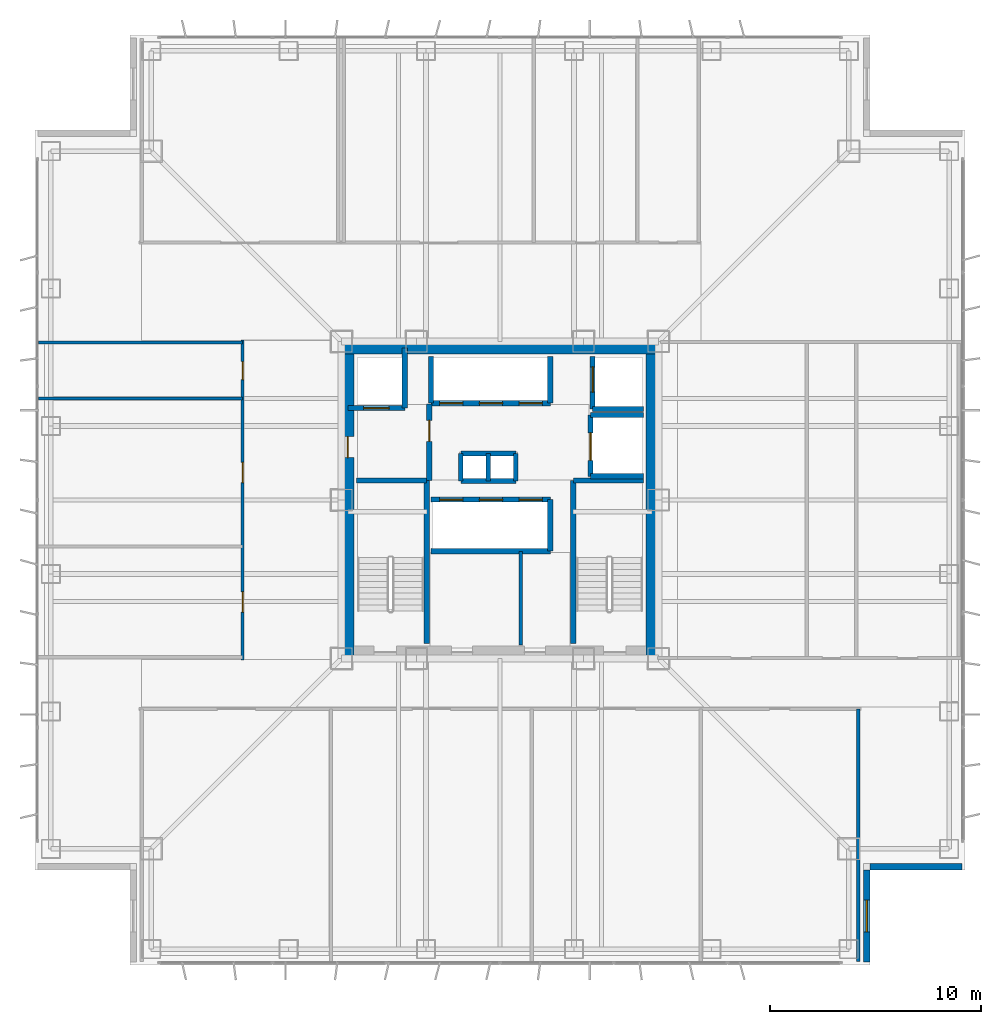
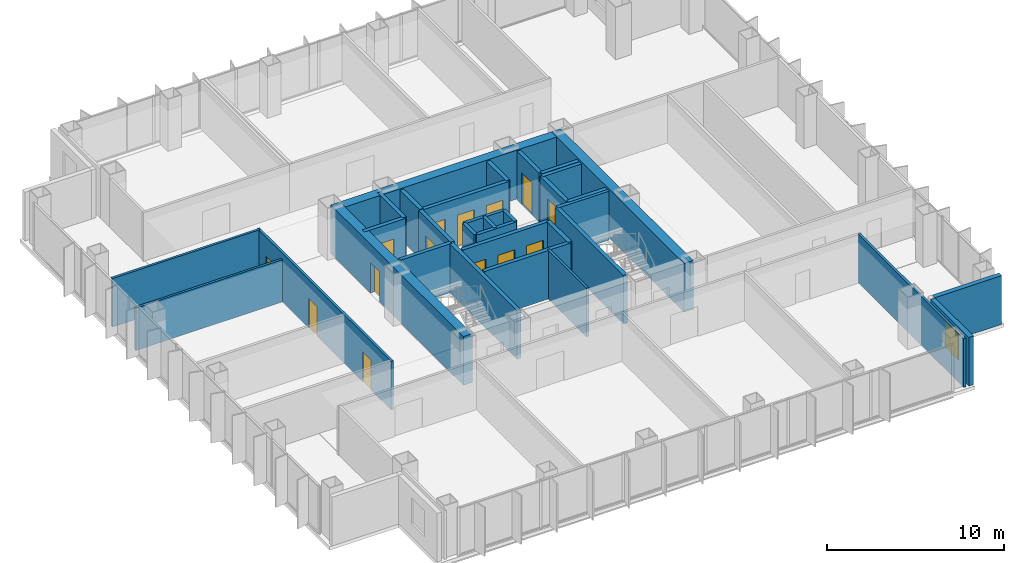
# One storey, part 10 of 14: 33 walls, 14 doors, 1 window, 15 openings.
"""IFC4 building model written with IfcOpenShell, lengths in metres."""

from ifc_helpers import new_model, si_unit, direction, frame, frame_2d, origin, place, context, subcontext, project, spatial, rectangle, extrude, material, layer, layer_set, type_object, element, fill, save


model = new_model("IFC4")

# Units and contexts
model_context = context("Model", 3, precision=1e-05, world=origin(), true_north=direction((0.0, 1.0)))
body_context = subcontext(model_context, "Body", "Model", "MODEL_VIEW")
ifc_project = project(units=[si_unit("LENGTHUNIT", "METRE"), si_unit("AREAUNIT", "SQUARE_METRE"), si_unit("VOLUMEUNIT", "CUBIC_METRE"), si_unit("PLANEANGLEUNIT", "RADIAN"), si_unit("MASSUNIT", "GRAM", prefix="KILO")], contexts=[model_context])

# Site, building, storey
site_placement = place(None, origin())
site = spatial("IfcSite", under=ifc_project, at=site_placement, CompositionType="ELEMENT")
building_placement = place(site_placement, origin())
building = spatial("IfcBuilding", under=site, at=building_placement, Name="Trevonay Congress Spire", CompositionType="ELEMENT")
storey_placement = place(building_placement, frame((0.0, 0.0, 137.199951171875)))
storey = spatial("IfcBuildingStorey", under=building, at=storey_placement, Name="L35", CompositionType="ELEMENT", Elevation=137.199951171875)

# Wall
ifc_material_1 = material(Name="Concrete C60/75", Category="concrete")
ifc_layer_1 = layer(ifc_material_1, 0.60009765625, Name="Concrete C60/75")
ifc_layer_set_1 = layer_set([ifc_layer_1], Name="Concrete C60/75")
wall_type_1 = type_object("IfcWallType", Name="WAL-CORE-600", PredefinedType="SHEAR", material=ifc_layer_set_1)
wall_1_placement = place(storey_placement, frame((-7.5, 7.199951171875, 0.0), z_axis=(0.0, 0.0, 1.0), x_axis=(1.0, 0.0, 0.0)))
element("IfcWall", 1, at=wall_1_placement, inside=storey, type_object=wall_type_1, Name="L35 North structural core shear wall", PredefinedType="SHEAR", context=body_context, shape_type="SweptSolid", body=[
    extrude(rectangle(XDim=15.0, YDim=0.60009765625, at=frame_2d((7.5, 0.0))), origin(), (0.0, 0.0, 1.0), 3.360107421875),
])

# Wall, opening, door
wall_2_placement = place(storey_placement, frame((-7.199951171875, -7.5, 0.0), z_axis=(0.0, 0.0, 1.0), x_axis=(0.0, 1.0, 0.0)))
wall_2 = element("IfcWall", 2, at=wall_2_placement, inside=storey, type_object=wall_type_1, Name="L35 West structural core shear wall", PredefinedType="SHEAR", context=body_context, shape_type="SweptSolid", body=[
    extrude(rectangle(XDim=15.0, YDim=0.60009765625, at=frame_2d((7.5, 0.0))), origin(), (0.0, 0.0, 1.0), 3.360107421875),
])
opening_1_placement = place(wall_2_placement, frame((9.5, 0.0, 0.0)))
opening_1 = element("IfcOpeningElement", 3, at=opening_1_placement, cuts=wall_2, Name="Opening D06", PredefinedType="OPENING", context=body_context, shape_type="SweptSolid", body=[
    extrude(rectangle(XDim=1.0, YDim=2.080078125, at=frame_2d((0.5, 1.0400390625))), frame((0.0, 0.31005859375, 0.0), z_axis=(0.0, -1.0, 0.0), x_axis=(1.0, 0.0, 0.0)), (0.0, 0.0, 1.0), 0.6201171875),
])
ifc_material_2 = material(Name="Steel ASTM A572 Grade 50", Category="steel")
door_type_1 = type_object("IfcDoorType", Name="DOR-FIRE-100", OperationType="NOTDEFINED", PredefinedType="DOOR", material=ifc_material_2)
door_1_placement = place(opening_1_placement, origin())
door_1 = element("IfcDoor", 4, at=door_1_placement, inside=storey, type_object=door_type_1, Name="L35 Firefighting Lift Lobby West Corridor Door", OperationType="SINGLE_SWING_RIGHT", OverallHeight=2.080078125, OverallWidth=1.0, PredefinedType="DOOR", context=body_context, shape_type="SweptSolid", body=[
    extrude(rectangle(XDim=1.0, YDim=2.080078125, at=frame_2d((0.5, 1.0400390625))), frame((0.0, 0.02490234375, 0.0), z_axis=(0.0, -1.0, 0.0), x_axis=(1.0, 0.0, 0.0)), (0.0, 0.0, 1.0), 0.050048828125),
])
fill(opening_1, door_1)

# Wall
wall_3_placement = place(storey_placement, frame((7.199951171875, -7.5, 0.0), z_axis=(0.0, 0.0, 1.0), x_axis=(0.0, 1.0, 0.0)))
element("IfcWall", 5, at=wall_3_placement, inside=storey, type_object=wall_type_1, Name="L35 East structural core shear wall", PredefinedType="SHEAR", context=body_context, shape_type="SweptSolid", body=[
    extrude(rectangle(XDim=15.0, YDim=0.60009765625, at=frame_2d((7.5, 0.0))), origin(), (0.0, 0.0, 1.0), 3.360107421875),
])

# Wall, openings, doors
ifc_material_3 = material(Name="Concrete C40/50", Category="concrete")
ifc_layer_2 = layer(ifc_material_3, 0.14990234375, Name="Concrete C40/50")
ifc_layer_set_2 = layer_set([ifc_layer_2], Name="Concrete C40/50")
wall_type_2 = type_object("IfcWallType", Name="WAL-CORR-150", PredefinedType="PARTITIONING", material=ifc_layer_set_2)
wall_4_placement = place(storey_placement, frame((-12.179931640625, -7.570068359375, 0.0), z_axis=(0.0, 0.0, 1.0), x_axis=(0.0, 1.0, 0.0)))
wall_4 = element("IfcWall", 6, at=wall_4_placement, inside=storey, type_object=wall_type_2, Name="L35 interior wall WP-L35W-COR", PredefinedType="PARTITIONING", context=body_context, shape_type="SweptSolid", body=[
    extrude(rectangle(XDim=15.14013671875, YDim=0.14990234375, at=frame_2d((7.570068359375, 0.0))), origin(), (0.0, 0.0, 1.0), 3.360107421875),
])
opening_2_placement = place(wall_4_placement, frame((2.27001953125, 0.0, 0.0)))
opening_2 = element("IfcOpeningElement", 7, at=opening_2_placement, cuts=wall_4, Name="Opening D07", PredefinedType="OPENING", context=body_context, shape_type="SweptSolid", body=[
    extrude(rectangle(XDim=0.949951171875, YDim=2.06005859375, at=frame_2d((0.47509765625, 1.030029296875))), frame((0.0, 0.0849609375, 0.0), z_axis=(0.0, -1.0, 0.0), x_axis=(1.0, 0.0, 0.0)), (0.0, 0.0, 1.0), 0.169921875),
])
opening_3_placement = place(wall_4_placement, frame((8.39501953125, 0.0, 0.0)))
opening_3 = element("IfcOpeningElement", 8, at=opening_3_placement, cuts=wall_4, Name="Opening D07", PredefinedType="OPENING", context=body_context, shape_type="SweptSolid", body=[
    extrude(rectangle(XDim=0.949951171875, YDim=2.06005859375, at=frame_2d((0.47509765625, 1.030029296875))), frame((0.0, 0.0849609375, 0.0), z_axis=(0.0, -1.0, 0.0), x_axis=(1.0, 0.0, 0.0)), (0.0, 0.0, 1.0), 0.169921875),
])
opening_4_placement = place(wall_4_placement, frame((13.27001953125, 0.0, 0.0)))
opening_4 = element("IfcOpeningElement", 9, at=opening_4_placement, cuts=wall_4, Name="Opening D10", PredefinedType="OPENING", context=body_context, shape_type="SweptSolid", body=[
    extrude(rectangle(XDim=0.85009765625, YDim=2.050048828125, at=frame_2d((0.425048828125, 1.02490234375))), frame((0.0, 0.0849609375, 0.0), z_axis=(0.0, -1.0, 0.0), x_axis=(1.0, 0.0, 0.0)), (0.0, 0.0, 1.0), 0.169921875),
])
ifc_material_4 = material(Name="Pale Anodised Aluminium EN AW-6063-T6", Category="aluminium")
door_type_2 = type_object("IfcDoorType", Name="DOR-OFFICE-95", OperationType="NOTDEFINED", PredefinedType="DOOR", material=ifc_material_4)
door_2_placement = place(opening_2_placement, origin())
door_2 = element("IfcDoor", 10, at=door_2_placement, inside=storey, type_object=door_type_2, Name="L35 Faculty Office West Door", OperationType="SINGLE_SWING_LEFT", OverallHeight=2.06005859375, OverallWidth=0.949951171875, PredefinedType="DOOR", context=body_context, shape_type="SweptSolid", body=[
    extrude(rectangle(XDim=0.949951171875, YDim=2.06005859375, at=frame_2d((0.47509765625, 1.030029296875))), frame((0.0, 0.02490234375, 0.0), z_axis=(0.0, -1.0, 0.0), x_axis=(1.0, 0.0, 0.0)), (0.0, 0.0, 1.0), 0.050048828125),
])
fill(opening_2, door_2)
door_3_placement = place(opening_3_placement, origin())
door_3 = element("IfcDoor", 11, at=door_3_placement, inside=storey, type_object=door_type_2, Name="L35 Tutorial Seminar Room Door", OperationType="SINGLE_SWING_RIGHT", OverallHeight=2.06005859375, OverallWidth=0.949951171875, PredefinedType="DOOR", context=body_context, shape_type="SweptSolid", body=[
    extrude(rectangle(XDim=0.949951171875, YDim=2.06005859375, at=frame_2d((0.47509765625, 1.030029296875))), frame((0.0, 0.02490234375, 0.0), z_axis=(0.0, -1.0, 0.0), x_axis=(1.0, 0.0, 0.0)), (0.0, 0.0, 1.0), 0.050048828125),
])
fill(opening_3, door_3)
door_type_3 = type_object("IfcDoorType", Name="DOR-WC-85", OperationType="NOTDEFINED", PredefinedType="DOOR", material=ifc_material_4)
door_4_placement = place(opening_4_placement, origin())
door_4 = element("IfcDoor", 12, at=door_4_placement, inside=storey, type_object=door_type_3, Name="L35 Accessible WC Door", OperationType="SINGLE_SWING_LEFT", OverallHeight=2.050048828125, OverallWidth=0.85009765625, PredefinedType="DOOR", context=body_context, shape_type="SweptSolid", body=[
    extrude(rectangle(XDim=0.85009765625, YDim=2.050048828125, at=frame_2d((0.425048828125, 1.02490234375))), frame((0.0, 0.02490234375, 0.0), z_axis=(0.0, -1.0, 0.0), x_axis=(1.0, 0.0, 0.0)), (0.0, 0.0, 1.0), 0.050048828125),
])
fill(opening_4, door_4)

# Wall, opening, window
ifc_material_5 = material(Name="Precast concrete C40/50", Category="concrete")
ifc_layer_3 = layer(ifc_material_5, 0.300048828125, Name="Precast concrete C40/50")
ifc_layer_set_3 = layer_set([ifc_layer_3], Name="Precast concrete C40/50")
wall_type_3 = type_object("IfcWallType", Name="WAL-EXT-PRECAST-300", PredefinedType="SOLIDWALL", material=ifc_layer_set_3)
wall_5_placement = place(storey_placement, frame((17.35009765625, -21.85009765625, 0.0), z_axis=(0.0, 0.0, 1.0), x_axis=(0.0, 1.0, 0.0)))
wall_5 = element("IfcWall", 13, at=wall_5_placement, inside=storey, type_object=wall_type_3, Name="L35 SE re-entrant notch exterior wall 1", PredefinedType="SOLIDWALL", context=body_context, shape_type="SweptSolid", body=[
    extrude(rectangle(XDim=4.35009765625, YDim=0.300048828125, at=frame_2d((2.175048828125, 0.0))), origin(), (0.0, 0.0, 1.0), 3.360107421875),
])
opening_5_placement = place(wall_5_placement, frame((1.425048828125, 0.0, 0.89990234375)))
opening_5 = element("IfcOpeningElement", 14, at=opening_5_placement, cuts=wall_5, Name="Opening WN03", PredefinedType="OPENING", context=body_context, shape_type="SweptSolid", body=[
    extrude(rectangle(XDim=1.5, YDim=1.800048828125, at=frame_2d((0.75, 0.89990234375))), frame((0.0, 0.16015625, 0.0), z_axis=(0.0, -1.0, 0.0), x_axis=(1.0, 0.0, 0.0)), (0.0, 0.0, 1.0), 0.320068359375),
])
ifc_material_6 = material(Name="Insulated Low-E Vision Glass IGU", Category="glass")
window_type = type_object("IfcWindowType", Name="WIN-NOTCH-150X180", PartitioningType="SINGLE_PANEL", PredefinedType="WINDOW", material=ifc_material_6)
window_placement = place(opening_5_placement, origin())
window = element("IfcWindow", 15, at=window_placement, inside=storey, type_object=window_type, Name="L35 SE corner notch window", OverallHeight=1.800048828125, OverallWidth=1.5, PartitioningType="SINGLE_PANEL", PredefinedType="WINDOW", context=body_context, shape_type="SweptSolid", body=[
    extrude(rectangle(XDim=1.5, YDim=1.800048828125, at=frame_2d((0.75, 0.89990234375))), frame((0.0, 0.030029296875, 0.0), z_axis=(0.0, -1.0, 0.0), x_axis=(1.0, 0.0, 0.0)), (0.0, 0.0, 1.0), 0.06005859375),
])
fill(opening_5, window)

# Walls
wall_6_placement = place(storey_placement, frame((21.85009765625, -17.35009765625, 0.0), z_axis=(0.0, 0.0, 1.0), x_axis=(-1.0, 0.0, 0.0)))
element("IfcWall", 16, at=wall_6_placement, inside=storey, type_object=wall_type_3, Name="L35 SE re-entrant notch exterior wall 2", PredefinedType="SOLIDWALL", context=body_context, shape_type="SweptSolid", body=[
    extrude(rectangle(XDim=4.35009765625, YDim=0.300048828125, at=frame_2d((2.175048828125, 0.0))), origin(), (0.0, 0.0, 1.0), 3.360107421875),
])
ifc_layer_4 = layer(ifc_material_3, 0.14990234375, Name="Concrete C40/50")
ifc_layer_set_4 = layer_set([ifc_layer_4], Name="Concrete C40/50")
wall_type_4 = type_object("IfcWallType", Name="WAL-PART-150", PredefinedType="PARTITIONING", material=ifc_layer_set_4)
wall_7_placement = place(storey_placement, frame((0.97998046875, -6.85009765625, 0.0), z_axis=(0.0, 0.0, 1.0), x_axis=(0.0, 1.0, 0.0)))
element("IfcWall", 17, at=wall_7_placement, inside=storey, type_object=wall_type_4, Name="L35 interior wall CW-F3-L35", PredefinedType="PARTITIONING", context=body_context, shape_type="SweptSolid", body=[
    extrude(rectangle(XDim=4.420166015625, YDim=0.14990234375, at=frame_2d((2.2099609375, 0.0))), origin(), (0.0, 0.0, 1.0), 3.360107421875),
])
wall_8_placement = place(storey_placement, frame((16.949951171875, -21.820068359375, 0.0), z_axis=(0.0, 0.0, 1.0), x_axis=(0.0, 1.0, 0.0)))
element("IfcWall", 18, at=wall_8_placement, inside=storey, type_object=wall_type_4, Name="L35 interior wall WP-L35S-DIV5", PredefinedType="PARTITIONING", context=body_context, shape_type="SweptSolid", body=[
    extrude(rectangle(XDim=11.940185546875, YDim=0.14990234375, at=frame_2d((5.97021484375, 0.0))), origin(), (0.0, 0.0, 1.0), 3.360107421875),
])
wall_9_placement = place(storey_placement, frame((-21.820068359375, 4.800048828125, 0.0), z_axis=(0.0, 0.0, 1.0), x_axis=(1.0, 0.0, 0.0)))
element("IfcWall", 19, at=wall_9_placement, inside=storey, type_object=wall_type_4, Name="L35 interior wall WP-L35W-DIV3", PredefinedType="PARTITIONING", context=body_context, shape_type="SweptSolid", body=[
    extrude(rectangle(XDim=9.64013671875, YDim=0.14990234375, at=frame_2d((4.820068359375, 0.0))), origin(), (0.0, 0.0, 1.0), 2.927978515625),
])
wall_10_placement = place(storey_placement, frame((-21.820068359375, 7.449951171875, 0.0), z_axis=(0.0, 0.0, 1.0), x_axis=(1.0, 0.0, 0.0)))
element("IfcWall", 20, at=wall_10_placement, inside=storey, type_object=wall_type_4, Name="L35 interior wall WP-L35W-DIV4", PredefinedType="PARTITIONING", context=body_context, shape_type="SweptSolid", body=[
    extrude(rectangle(XDim=9.64013671875, YDim=0.14990234375, at=frame_2d((4.820068359375, 0.0))), origin(), (0.0, 0.0, 1.0), 3.360107421875),
])
ifc_layer_5 = layer(ifc_material_3, 0.219970703125, Name="Concrete C40/50")
ifc_layer_set_5 = layer_set([ifc_layer_5], Name="Concrete C40/50")
wall_type_5 = type_object("IfcWallType", Name="WAL-SHAFT-220", PredefinedType="PARTITIONING", material=ifc_layer_set_5)
for number, where, z_axis, x_axis, name in (
    (21, (-1.85009765625, 2.199951171875, 0.0), (0.0, 0.0, 1.0), (1.0, 0.0, 0.0), "L35 interior shaft wall WSH-L35-RSR-N"),
    (22, (-1.85009765625, 0.89990234375, 0.0), (0.0, 0.0, 1.0), (1.0, 0.0, 0.0), "L35 interior shaft wall WSH-L35-RSR-S"),
):
    element("IfcWall", number, at=place(storey_placement, frame(where, z_axis=z_axis, x_axis=x_axis)), inside=storey, type_object=wall_type_5, Name=name, PredefinedType="PARTITIONING", context=body_context, shape_type="SweptSolid", body=[
        extrude(rectangle(XDim=2.60009765625, YDim=0.219970703125, at=frame_2d((1.300048828125, 0.0))), origin(), (0.0, 0.0, 1.0), 3.360107421875),
    ])
for number, where, z_axis, x_axis, name in (
    (23, (-0.550048828125, 0.89990234375, 0.0), (0.0, 0.0, 1.0), (0.0, 1.0, 0.0), "L35 interior shaft wall WSH-L35-RSR-M"),
    (24, (0.75, 0.89990234375, 0.0), (0.0, 0.0, 1.0), (0.0, 1.0, 0.0), "L35 interior shaft wall WSH-L35-RSR-E"),
    (25, (-1.85009765625, 0.89990234375, 0.0), (0.0, 0.0, 1.0), (0.0, 1.0, 0.0), "L35 interior shaft wall WSH-L35-RSR-W"),
):
    element("IfcWall", number, at=place(storey_placement, frame(where, z_axis=z_axis, x_axis=x_axis)), inside=storey, type_object=wall_type_5, Name=name, PredefinedType="PARTITIONING", context=body_context, shape_type="SweptSolid", body=[
        extrude(rectangle(XDim=1.300048828125, YDim=0.219970703125, at=frame_2d((0.64990234375, 0.0))), origin(), (0.0, 0.0, 1.0), 3.360107421875),
    ])

# Wall, openings, doors
ifc_layer_6 = layer(ifc_material_3, 0.25, Name="Concrete C40/50")
ifc_layer_set_6 = layer_set([ifc_layer_6], Name="Concrete C40/50")
wall_type_6 = type_object("IfcWallType", Name="WAL-SHAFT-250", PredefinedType="SHEAR", material=ifc_layer_set_6)
wall_11_placement = place(storey_placement, frame((-3.260009765625, 0.02001953125, 0.0), z_axis=(0.0, 0.0, 1.0), x_axis=(1.0, 0.0, 0.0)))
wall_11 = element("IfcWall", 26, at=wall_11_placement, inside=storey, type_object=wall_type_6, Name="L35 interior shaft wall WSH-L35-B2-N", PredefinedType="SHEAR", context=body_context, shape_type="SweptSolid", body=[
    extrude(rectangle(XDim=5.639892578125, YDim=0.25, at=frame_2d((2.81982421875, 0.0))), origin(), (0.0, 0.0, 1.0), 3.360107421875),
])
opening_6_placement = place(wall_11_placement, frame((0.39990234375, 0.0, 0.0)))
opening_6 = element("IfcOpeningElement", 27, at=opening_6_placement, cuts=wall_11, Name="Opening LD02", PredefinedType="OPENING", context=body_context, shape_type="SweptSolid", body=[
    extrude(rectangle(XDim=1.10009765625, YDim=2.199951171875, at=frame_2d((0.550048828125, 1.10009765625))), frame((0.0, 0.135009765625, 0.0), z_axis=(0.0, -1.0, 0.0), x_axis=(1.0, 0.0, 0.0)), (0.0, 0.0, 1.0), 0.27001953125),
])
opening_7_placement = place(wall_11_placement, frame((2.280029296875, 0.0, 0.0)))
opening_7 = element("IfcOpeningElement", 28, at=opening_7_placement, cuts=wall_11, Name="Opening LD02", PredefinedType="OPENING", context=body_context, shape_type="SweptSolid", body=[
    extrude(rectangle(XDim=1.10009765625, YDim=2.199951171875, at=frame_2d((0.550048828125, 1.10009765625))), frame((0.0, 0.135009765625, 0.0), z_axis=(0.0, -1.0, 0.0), x_axis=(1.0, 0.0, 0.0)), (0.0, 0.0, 1.0), 0.27001953125),
])
opening_8_placement = place(wall_11_placement, frame((4.159912109375, 0.0, 0.0)))
opening_8 = element("IfcOpeningElement", 29, at=opening_8_placement, cuts=wall_11, Name="Opening LD02", PredefinedType="OPENING", context=body_context, shape_type="SweptSolid", body=[
    extrude(rectangle(XDim=1.10009765625, YDim=2.199951171875, at=frame_2d((0.550048828125, 1.10009765625))), frame((0.0, 0.135009765625, 0.0), z_axis=(0.0, -1.0, 0.0), x_axis=(1.0, 0.0, 0.0)), (0.0, 0.0, 1.0), 0.27001953125),
])
door_type_4 = type_object("IfcDoorType", Name="DOR-LIFT-LD02", OperationType="DOUBLE_DOOR_SLIDING", PredefinedType="DOOR", material=ifc_material_4)
door_5_placement = place(opening_6_placement, origin())
door_5 = element("IfcDoor", 30, at=door_5_placement, inside=storey, type_object=door_type_4, Name="L35 Passenger lift PL-04 landing door", OperationType="DOUBLE_DOOR_SLIDING", OverallHeight=2.199951171875, OverallWidth=1.10009765625, PredefinedType="DOOR", context=body_context, shape_type="SweptSolid", body=[
    extrude(rectangle(XDim=1.10009765625, YDim=2.199951171875, at=frame_2d((0.550048828125, 1.10009765625))), frame((0.0, 0.02490234375, 0.0), z_axis=(0.0, -1.0, 0.0), x_axis=(1.0, 0.0, 0.0)), (0.0, 0.0, 1.0), 0.050048828125),
])
fill(opening_6, door_5)
door_6_placement = place(opening_7_placement, origin())
door_6 = element("IfcDoor", 31, at=door_6_placement, inside=storey, type_object=door_type_4, Name="L35 Passenger lift PL-05 landing door", OperationType="DOUBLE_DOOR_SLIDING", OverallHeight=2.199951171875, OverallWidth=1.10009765625, PredefinedType="DOOR", context=body_context, shape_type="SweptSolid", body=[
    extrude(rectangle(XDim=1.10009765625, YDim=2.199951171875, at=frame_2d((0.550048828125, 1.10009765625))), frame((0.0, 0.02490234375, 0.0), z_axis=(0.0, -1.0, 0.0), x_axis=(1.0, 0.0, 0.0)), (0.0, 0.0, 1.0), 0.050048828125),
])
fill(opening_7, door_6)
door_7_placement = place(opening_8_placement, origin())
door_7 = element("IfcDoor", 32, at=door_7_placement, inside=storey, type_object=door_type_4, Name="L35 Passenger lift PL-06 landing door", OperationType="DOUBLE_DOOR_SLIDING", OverallHeight=2.199951171875, OverallWidth=1.10009765625, PredefinedType="DOOR", context=body_context, shape_type="SweptSolid", body=[
    extrude(rectangle(XDim=1.10009765625, YDim=2.199951171875, at=frame_2d((0.550048828125, 1.10009765625))), frame((0.0, 0.02490234375, 0.0), z_axis=(0.0, -1.0, 0.0), x_axis=(1.0, 0.0, 0.0)), (0.0, 0.0, 1.0), 0.050048828125),
])
fill(opening_8, door_7)

# Walls
wall_12_placement = place(storey_placement, frame((-3.260009765625, -2.419921875, 0.0), z_axis=(0.0, 0.0, 1.0), x_axis=(1.0, 0.0, 0.0)))
element("IfcWall", 33, at=wall_12_placement, inside=storey, type_object=wall_type_6, Name="L35 interior shaft wall WSH-L35-B2-S", PredefinedType="SHEAR", context=body_context, shape_type="SweptSolid", body=[
    extrude(rectangle(XDim=5.639892578125, YDim=0.25, at=frame_2d((2.81982421875, 0.0))), origin(), (0.0, 0.0, 1.0), 3.360107421875),
])
wall_13_placement = place(storey_placement, frame((2.3798828125, -2.419921875, 0.0), z_axis=(0.0, 0.0, 1.0), x_axis=(0.0, 1.0, 0.0)))
element("IfcWall", 34, at=wall_13_placement, inside=storey, type_object=wall_type_6, Name="L35 interior shaft wall WSH-L35-B2-E", PredefinedType="SHEAR", context=body_context, shape_type="SweptSolid", body=[
    extrude(rectangle(XDim=2.43994140625, YDim=0.25, at=frame_2d((1.219970703125, 0.0))), origin(), (0.0, 0.0, 1.0), 3.360107421875),
])

# Wall, openings, doors
wall_14_placement = place(storey_placement, frame((-3.260009765625, 4.580078125, 0.0), z_axis=(0.0, 0.0, 1.0), x_axis=(1.0, 0.0, 0.0)))
wall_14 = element("IfcWall", 35, at=wall_14_placement, inside=storey, type_object=wall_type_6, Name="L35 interior shaft wall WSH-L35-B3-S", PredefinedType="SHEAR", context=body_context, shape_type="SweptSolid", body=[
    extrude(rectangle(XDim=5.639892578125, YDim=0.25, at=frame_2d((2.81982421875, 0.0))), origin(), (0.0, 0.0, 1.0), 3.360107421875),
])
opening_9_placement = place(wall_14_placement, frame((0.39990234375, 0.0, 0.0)))
opening_9 = element("IfcOpeningElement", 36, at=opening_9_placement, cuts=wall_14, Name="Opening LD03", PredefinedType="OPENING", context=body_context, shape_type="SweptSolid", body=[
    extrude(rectangle(XDim=1.10009765625, YDim=2.199951171875, at=frame_2d((0.550048828125, 1.10009765625))), frame((0.0, 0.135009765625, 0.0), z_axis=(0.0, -1.0, 0.0), x_axis=(1.0, 0.0, 0.0)), (0.0, 0.0, 1.0), 0.27001953125),
])
opening_10_placement = place(wall_14_placement, frame((2.280029296875, 0.0, 0.0)))
opening_10 = element("IfcOpeningElement", 37, at=opening_10_placement, cuts=wall_14, Name="Opening LD03", PredefinedType="OPENING", context=body_context, shape_type="SweptSolid", body=[
    extrude(rectangle(XDim=1.10009765625, YDim=2.199951171875, at=frame_2d((0.550048828125, 1.10009765625))), frame((0.0, 0.135009765625, 0.0), z_axis=(0.0, -1.0, 0.0), x_axis=(1.0, 0.0, 0.0)), (0.0, 0.0, 1.0), 0.27001953125),
])
opening_11_placement = place(wall_14_placement, frame((4.159912109375, 0.0, 0.0)))
opening_11 = element("IfcOpeningElement", 38, at=opening_11_placement, cuts=wall_14, Name="Opening LD03", PredefinedType="OPENING", context=body_context, shape_type="SweptSolid", body=[
    extrude(rectangle(XDim=1.10009765625, YDim=2.199951171875, at=frame_2d((0.550048828125, 1.10009765625))), frame((0.0, 0.135009765625, 0.0), z_axis=(0.0, -1.0, 0.0), x_axis=(1.0, 0.0, 0.0)), (0.0, 0.0, 1.0), 0.27001953125),
])
door_type_5 = type_object("IfcDoorType", Name="DOR-LIFT-LD03", OperationType="DOUBLE_DOOR_SLIDING", PredefinedType="DOOR", material=ifc_material_4)
door_8_placement = place(opening_9_placement, origin())
door_8 = element("IfcDoor", 39, at=door_8_placement, inside=storey, type_object=door_type_5, Name="L35 Passenger lift PL-07 landing door", OperationType="DOUBLE_DOOR_SLIDING", OverallHeight=2.199951171875, OverallWidth=1.10009765625, PredefinedType="DOOR", context=body_context, shape_type="SweptSolid", body=[
    extrude(rectangle(XDim=1.10009765625, YDim=2.199951171875, at=frame_2d((0.550048828125, 1.10009765625))), frame((0.0, 0.02490234375, 0.0), z_axis=(0.0, -1.0, 0.0), x_axis=(1.0, 0.0, 0.0)), (0.0, 0.0, 1.0), 0.050048828125),
])
fill(opening_9, door_8)
door_9_placement = place(opening_10_placement, origin())
door_9 = element("IfcDoor", 40, at=door_9_placement, inside=storey, type_object=door_type_5, Name="L35 Passenger lift PL-08 landing door", OperationType="DOUBLE_DOOR_SLIDING", OverallHeight=2.199951171875, OverallWidth=1.10009765625, PredefinedType="DOOR", context=body_context, shape_type="SweptSolid", body=[
    extrude(rectangle(XDim=1.10009765625, YDim=2.199951171875, at=frame_2d((0.550048828125, 1.10009765625))), frame((0.0, 0.02490234375, 0.0), z_axis=(0.0, -1.0, 0.0), x_axis=(1.0, 0.0, 0.0)), (0.0, 0.0, 1.0), 0.050048828125),
])
fill(opening_10, door_9)
door_10_placement = place(opening_11_placement, origin())
door_10 = element("IfcDoor", 41, at=door_10_placement, inside=storey, type_object=door_type_5, Name="L35 Passenger lift PL-09 landing door", OperationType="DOUBLE_DOOR_SLIDING", OverallHeight=2.199951171875, OverallWidth=1.10009765625, PredefinedType="DOOR", context=body_context, shape_type="SweptSolid", body=[
    extrude(rectangle(XDim=1.10009765625, YDim=2.199951171875, at=frame_2d((0.550048828125, 1.10009765625))), frame((0.0, 0.02490234375, 0.0), z_axis=(0.0, -1.0, 0.0), x_axis=(1.0, 0.0, 0.0)), (0.0, 0.0, 1.0), 0.050048828125),
])
fill(opening_11, door_10)

# Walls
for number, where, z_axis, x_axis, name in (
    (42, (-3.260009765625, 4.580078125, 0.0), (0.0, 0.0, 1.0), (0.0, 1.0, 0.0), "L35 interior shaft wall WSH-L35-B3-W"),
    (43, (2.3798828125, 4.580078125, 0.0), (0.0, 0.0, 1.0), (0.0, 1.0, 0.0), "L35 interior shaft wall WSH-L35-B3-E"),
):
    element("IfcWall", number, at=place(storey_placement, frame(where, z_axis=z_axis, x_axis=x_axis)), inside=storey, type_object=wall_type_6, Name=name, PredefinedType="SHEAR", context=body_context, shape_type="SweptSolid", body=[
        extrude(rectangle(XDim=2.219970703125, YDim=0.25, at=frame_2d((1.10986328125, 0.0))), origin(), (0.0, 0.0, 1.0), 3.360107421875),
    ])

# Wall, opening, door
wall_15_placement = place(storey_placement, frame((-7.199951171875, 4.35009765625, 0.0), z_axis=(0.0, 0.0, 1.0), x_axis=(1.0, 0.0, 0.0)))
wall_15 = element("IfcWall", 44, at=wall_15_placement, inside=storey, type_object=wall_type_6, Name="L35 interior shaft wall WSH-L35-FF1-S", PredefinedType="SHEAR", context=body_context, shape_type="SweptSolid", body=[
    extrude(rectangle(XDim=2.699951171875, YDim=0.25, at=frame_2d((1.35009765625, 0.0))), origin(), (0.0, 0.0, 1.0), 3.360107421875),
])
opening_12_placement = place(wall_15_placement, frame((0.75, 0.0, 0.0)))
opening_12 = element("IfcOpeningElement", 45, at=opening_12_placement, cuts=wall_15, Name="Opening LD04", PredefinedType="OPENING", context=body_context, shape_type="SweptSolid", body=[
    extrude(rectangle(XDim=1.199951171875, YDim=2.199951171875, at=frame_2d((0.60009765625, 1.10009765625))), frame((0.0, 0.135009765625, 0.0), z_axis=(0.0, -1.0, 0.0), x_axis=(1.0, 0.0, 0.0)), (0.0, 0.0, 1.0), 0.27001953125),
])
door_type_6 = type_object("IfcDoorType", Name="DOR-LIFT-LD04", OperationType="DOUBLE_DOOR_SLIDING", PredefinedType="DOOR", material=ifc_material_2)
door_11_placement = place(opening_12_placement, origin())
door_11 = element("IfcDoor", 46, at=door_11_placement, inside=storey, type_object=door_type_6, Name="L35 Firefighting lift FFL-01 landing door", OperationType="DOUBLE_DOOR_SLIDING", OverallHeight=2.199951171875, OverallWidth=1.199951171875, PredefinedType="DOOR", context=body_context, shape_type="SweptSolid", body=[
    extrude(rectangle(XDim=1.199951171875, YDim=2.199951171875, at=frame_2d((0.60009765625, 1.10009765625))), frame((0.0, 0.02490234375, 0.0), z_axis=(0.0, -1.0, 0.0), x_axis=(1.0, 0.0, 0.0)), (0.0, 0.0, 1.0), 0.050048828125),
])
fill(opening_12, door_11)

# Walls
wall_16_placement = place(storey_placement, frame((-4.5, 4.35009765625, 0.0), z_axis=(0.0, 0.0, 1.0), x_axis=(0.0, 1.0, 0.0)))
element("IfcWall", 47, at=wall_16_placement, inside=storey, type_object=wall_type_6, Name="L35 interior shaft wall WSH-L35-FF1-E", PredefinedType="SHEAR", context=body_context, shape_type="SweptSolid", body=[
    extrude(rectangle(XDim=2.849853515625, YDim=0.25, at=frame_2d((1.4248046875, 0.0))), origin(), (0.0, 0.0, 1.0), 3.360107421875),
])
wall_17_placement = place(storey_placement, frame((4.3798828125, 4.300048828125, 0.0), z_axis=(0.0, 0.0, 1.0), x_axis=(1.0, 0.0, 0.0)))
element("IfcWall", 48, at=wall_17_placement, inside=storey, type_object=wall_type_6, Name="L35 interior shaft wall WSH-L35-FF2-S", PredefinedType="SHEAR", context=body_context, shape_type="SweptSolid", body=[
    extrude(rectangle(XDim=2.420166015625, YDim=0.25, at=frame_2d((1.2099609375, 0.0))), origin(), (0.0, 0.0, 1.0), 3.360107421875),
])

# Wall, opening, door
wall_18_placement = place(storey_placement, frame((4.3798828125, 4.300048828125, 0.0), z_axis=(0.0, 0.0, 1.0), x_axis=(0.0, 1.0, 0.0)))
wall_18 = element("IfcWall", 49, at=wall_18_placement, inside=storey, type_object=wall_type_6, Name="L35 interior shaft wall WSH-L35-FF2-W", PredefinedType="SHEAR", context=body_context, shape_type="SweptSolid", body=[
    extrude(rectangle(XDim=2.5, YDim=0.25, at=frame_2d((1.25, 0.0))), origin(), (0.0, 0.0, 1.0), 3.360107421875),
])
opening_13_placement = place(wall_18_placement, frame((0.800048828125, 0.0, 0.0)))
opening_13 = element("IfcOpeningElement", 50, at=opening_13_placement, cuts=wall_18, Name="Opening LD04", PredefinedType="OPENING", context=body_context, shape_type="SweptSolid", body=[
    extrude(rectangle(XDim=1.199951171875, YDim=2.199951171875, at=frame_2d((0.60009765625, 1.10009765625))), frame((0.0, 0.135009765625, 0.0), z_axis=(0.0, -1.0, 0.0), x_axis=(1.0, 0.0, 0.0)), (0.0, 0.0, 1.0), 0.27001953125),
])
door_12_placement = place(opening_13_placement, origin())
door_12 = element("IfcDoor", 51, at=door_12_placement, inside=storey, type_object=door_type_6, Name="L35 Firefighting lift FFL-02 landing door", OperationType="DOUBLE_DOOR_SLIDING", OverallHeight=2.199951171875, OverallWidth=1.199951171875, PredefinedType="DOOR", context=body_context, shape_type="SweptSolid", body=[
    extrude(rectangle(XDim=1.199951171875, YDim=2.199951171875, at=frame_2d((0.60009765625, 1.10009765625))), frame((0.0, 0.02490234375, 0.0), z_axis=(0.0, -1.0, 0.0), x_axis=(1.0, 0.0, 0.0)), (0.0, 0.0, 1.0), 0.050048828125),
])
fill(opening_13, door_12)

wall_19_placement = place(storey_placement, frame((4.280029296875, 1.1201171875, 0.0), z_axis=(0.0, 0.0, 1.0), x_axis=(0.0, 1.0, 0.0)))
wall_19 = element("IfcWall", 52, at=wall_19_placement, inside=storey, type_object=wall_type_6, Name="L35 interior shaft wall WSH-L35-SV-W", PredefinedType="SHEAR", context=body_context, shape_type="SweptSolid", body=[
    extrude(rectangle(XDim=2.89990234375, YDim=0.25, at=frame_2d((1.449951171875, 0.0))), origin(), (0.0, 0.0, 1.0), 3.360107421875),
])
opening_14_placement = place(wall_19_placement, frame((0.75, 0.0, 0.0)))
opening_14 = element("IfcOpeningElement", 53, at=opening_14_placement, cuts=wall_19, Name="Opening LD05", PredefinedType="OPENING", context=body_context, shape_type="SweptSolid", body=[
    extrude(rectangle(XDim=1.300048828125, YDim=2.300048828125, at=frame_2d((0.64990234375, 1.14990234375))), frame((0.0, 0.135009765625, 0.0), z_axis=(0.0, -1.0, 0.0), x_axis=(1.0, 0.0, 0.0)), (0.0, 0.0, 1.0), 0.27001953125),
])
door_type_7 = type_object("IfcDoorType", Name="DOR-LIFT-LD05", OperationType="DOUBLE_DOOR_SLIDING", PredefinedType="DOOR", material=ifc_material_2)
door_13_placement = place(opening_14_placement, origin())
door_13 = element("IfcDoor", 54, at=door_13_placement, inside=storey, type_object=door_type_7, Name="L35 Goods lift SVL-01 landing door", OperationType="DOUBLE_DOOR_SLIDING", OverallHeight=2.300048828125, OverallWidth=1.300048828125, PredefinedType="DOOR", context=body_context, shape_type="SweptSolid", body=[
    extrude(rectangle(XDim=1.300048828125, YDim=2.300048828125, at=frame_2d((0.64990234375, 1.14990234375))), frame((0.0, 0.02490234375, 0.0), z_axis=(0.0, -1.0, 0.0), x_axis=(1.0, 0.0, 0.0)), (0.0, 0.0, 1.0), 0.050048828125),
])
fill(opening_14, door_13)

# Walls
for number, where, z_axis, x_axis, name in (
    (55, (4.280029296875, 1.1201171875, 0.0), (0.0, 0.0, 1.0), (1.0, 0.0, 0.0), "L35 interior shaft wall WSH-L35-SV-S"),
    (56, (4.280029296875, 4.02001953125, 0.0), (0.0, 0.0, 1.0), (1.0, 0.0, 0.0), "L35 interior shaft wall WSH-L35-SV-N"),
):
    element("IfcWall", number, at=place(storey_placement, frame(where, z_axis=z_axis, x_axis=x_axis)), inside=storey, type_object=wall_type_6, Name=name, PredefinedType="SHEAR", context=body_context, shape_type="SweptSolid", body=[
        extrude(rectangle(XDim=2.52001953125, YDim=0.25, at=frame_2d((1.260009765625, 0.0))), origin(), (0.0, 0.0, 1.0), 3.360107421875),
    ])

# Wall, opening, door
wall_20_placement = place(storey_placement, frame((-3.35009765625, 0.919921875, 0.0), z_axis=(0.0, 0.0, 1.0), x_axis=(0.0, 1.0, 0.0)))
wall_20 = element("IfcWall", 57, at=wall_20_placement, inside=storey, type_object=wall_type_6, Name="L35 interior wall CW-FFLW-E-L35", PredefinedType="SHEAR", context=body_context, shape_type="SweptSolid", body=[
    extrude(rectangle(XDim=3.6201171875, YDim=0.25, at=frame_2d((1.81005859375, 0.0))), origin(), (0.0, 0.0, 1.0), 3.360107421875),
])
opening_15_placement = place(wall_20_placement, frame((1.85009765625, 0.0, 0.0)))
opening_15 = element("IfcOpeningElement", 58, at=opening_15_placement, cuts=wall_20, Name="Opening D06", PredefinedType="OPENING", context=body_context, shape_type="SweptSolid", body=[
    extrude(rectangle(XDim=1.0, YDim=2.080078125, at=frame_2d((0.5, 1.0400390625))), frame((0.0, 0.135009765625, 0.0), z_axis=(0.0, -1.0, 0.0), x_axis=(1.0, 0.0, 0.0)), (0.0, 0.0, 1.0), 0.27001953125),
])
door_14_placement = place(opening_15_placement, origin())
door_14 = element("IfcDoor", 59, at=door_14_placement, inside=storey, type_object=door_type_1, Name="L35 Firefighting Core Lobby Transfer Door", OperationType="SINGLE_SWING_LEFT", OverallHeight=2.080078125, OverallWidth=1.0, PredefinedType="DOOR", context=body_context, shape_type="SweptSolid", body=[
    extrude(rectangle(XDim=1.0, YDim=2.080078125, at=frame_2d((0.5, 1.0400390625))), frame((0.0, 0.02490234375, 0.0), z_axis=(0.0, -1.0, 0.0), x_axis=(1.0, 0.0, 0.0)), (0.0, 0.0, 1.0), 0.050048828125),
])
fill(opening_15, door_14)

# Walls
ifc_layer_7 = layer(ifc_material_3, 0.25, Name="Concrete C40/50")
ifc_layer_set_7 = layer_set([ifc_layer_7], Name="Concrete C40/50")
wall_type_7 = type_object("IfcWallType", Name="WAL-SHAFT-LB-250", PredefinedType="SHEAR", material=ifc_layer_set_7)
wall_21_placement = place(storey_placement, frame((-3.469970703125, -6.800048828125, 0.0), z_axis=(0.0, 0.0, 1.0), x_axis=(0.0, 1.0, 0.0)))
element("IfcWall", 60, at=wall_21_placement, inside=storey, type_object=wall_type_7, Name="L35 interior shaft wall WSH-L35-ST1-E", PredefinedType="SHEAR", context=body_context, shape_type="SweptSolid", body=[
    extrude(rectangle(XDim=7.719970703125, YDim=0.25, at=frame_2d((3.85986328125, 0.0))), origin(), (0.0, 0.0, 1.0), 3.360107421875),
])
wall_22_placement = place(storey_placement, frame((-6.800048828125, 0.919921875, 0.0), z_axis=(0.0, 0.0, 1.0), x_axis=(1.0, 0.0, 0.0)))
element("IfcWall", 61, at=wall_22_placement, inside=storey, type_object=wall_type_7, Name="L35 interior shaft wall WSH-L35-ST1-N", PredefinedType="SHEAR", context=body_context, shape_type="SweptSolid", body=[
    extrude(rectangle(XDim=3.330078125, YDim=0.25, at=frame_2d((1.6650390625, 0.0))), origin(), (0.0, 0.0, 1.0), 3.360107421875),
])
wall_23_placement = place(storey_placement, frame((3.469970703125, -6.800048828125, 0.0), z_axis=(0.0, 0.0, 1.0), x_axis=(0.0, 1.0, 0.0)))
element("IfcWall", 62, at=wall_23_placement, inside=storey, type_object=wall_type_7, Name="L35 interior shaft wall WSH-L35-ST2-W", PredefinedType="SHEAR", context=body_context, shape_type="SweptSolid", body=[
    extrude(rectangle(XDim=7.719970703125, YDim=0.25, at=frame_2d((3.85986328125, 0.0))), origin(), (0.0, 0.0, 1.0), 3.360107421875),
])
wall_24_placement = place(storey_placement, frame((3.469970703125, 0.919921875, 0.0), z_axis=(0.0, 0.0, 1.0), x_axis=(1.0, 0.0, 0.0)))
element("IfcWall", 63, at=wall_24_placement, inside=storey, type_object=wall_type_7, Name="L35 interior shaft wall WSH-L35-ST2-N", PredefinedType="SHEAR", context=body_context, shape_type="SweptSolid", body=[
    extrude(rectangle(XDim=3.330078125, YDim=0.25, at=frame_2d((1.6650390625, 0.0))), origin(), (0.0, 0.0, 1.0), 3.360107421875),
])

save(model, "model.ifc")
